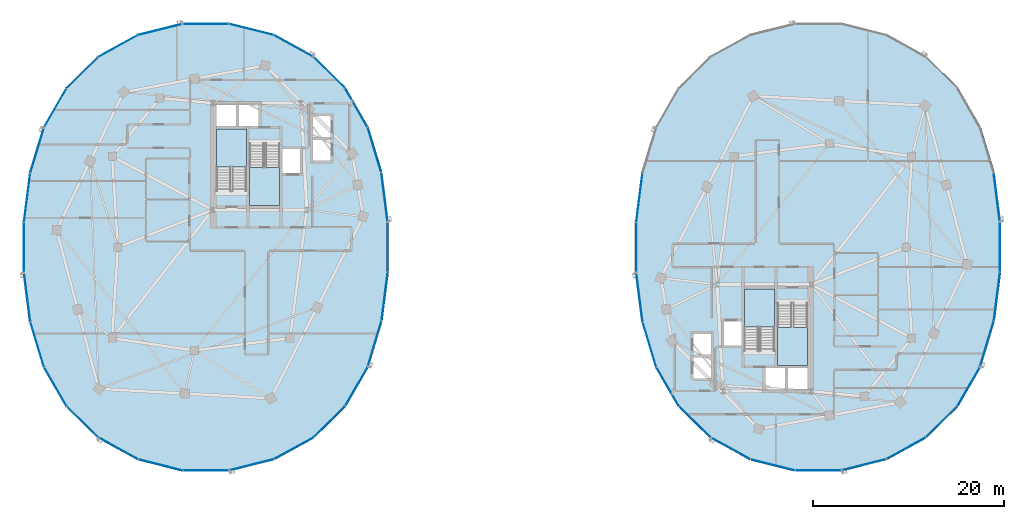
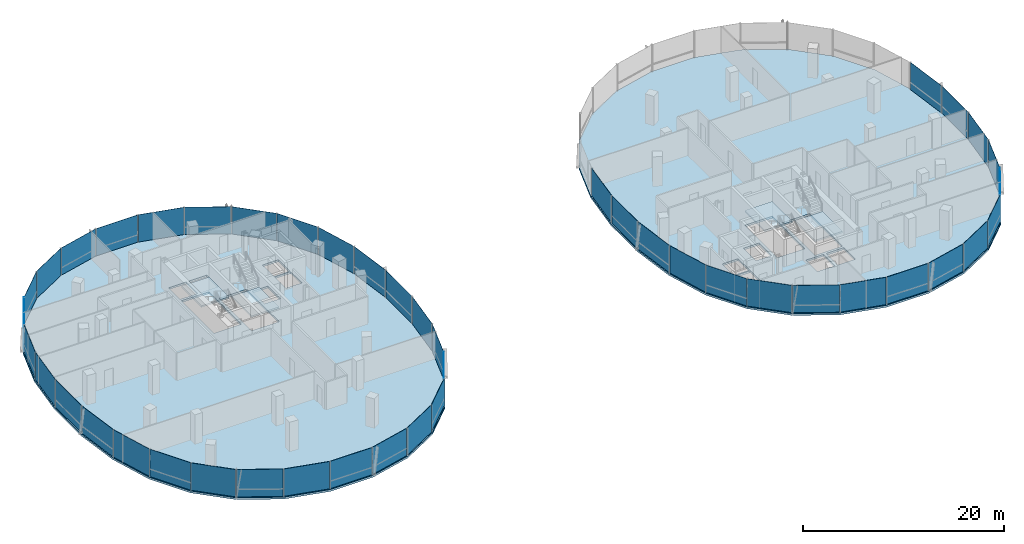
# One storey, part 10 of 22: 45 plates, 6 slabs, 12 elements without a shape of their own.
"""IFC4 building model written with IfcOpenShell, lengths in metres."""

from ifc_helpers import new_model, si_unit, direction, frame, origin, origin_2d, place, context, subcontext, project, spatial, polyline, rectangle, outline, extrude, material, layer, layer_set, type_object, element, aggregate, save


model = new_model("IFC4")

# Units and contexts
model_context = context("Model", 3, precision=1e-05, world=origin(), true_north=direction((0.0, 1.0)))
body_context = subcontext(model_context, "Body", "Model", "MODEL_VIEW")
ifc_project = project(units=[si_unit("LENGTHUNIT", "METRE"), si_unit("AREAUNIT", "SQUARE_METRE"), si_unit("VOLUMEUNIT", "CUBIC_METRE"), si_unit("PLANEANGLEUNIT", "RADIAN"), si_unit("MASSUNIT", "GRAM", prefix="KILO"), si_unit("THERMODYNAMICTEMPERATUREUNIT", "KELVIN"), si_unit("POWERUNIT", "WATT")], contexts=[model_context])

# Site, building, storey
site_placement = place(None, origin())
site = spatial("IfcSite", under=ifc_project, at=site_placement, CompositionType="ELEMENT")
building_placement = place(site_placement, origin())
building = spatial("IfcBuilding", under=site, at=building_placement, Name="Cundina Bronze Exchange", CompositionType="ELEMENT")
storey_placement = place(building_placement, frame((0.0, 0.0, 151.199951171875)))
storey = spatial("IfcBuildingStorey", under=building, at=storey_placement, Name="L39", CompositionType="ELEMENT", Elevation=151.199951171875)

# Curtain wall, plates
ifc_material_1 = material(Name="Anodised Bronze Aluminium 6063-T6", Category="aluminium")
curtain_wall_type = type_object("IfcCurtainWallType", Name="CWS-WST-PIN", PredefinedType="NOTDEFINED", material=ifc_material_1)
curtain_wall_1_placement = place(storey_placement, origin())
curtain_wall_1 = element("IfcCurtainWall", 1, at=curtain_wall_1_placement, inside=storey, type_object=curtain_wall_type, Name="L39 CW-04 Curtain Wall Run CWR-L39-W1", PredefinedType="NOTDEFINED")
ifc_material_2 = material(Name="Heat-Strengthened Solar-Control Bronze Safety Glass 28mm", Category="glass")
ifc_layer_1 = layer(ifc_material_2, 0.028076171875, Name="Heat-Strengthened Solar-Control Bronze Safety Glass 28mm", Category="glass")
ifc_layer_set_1 = layer_set([ifc_layer_1], Name="Heat-Strengthened Solar-Control Bronze Safety Glass 28mm")
plate_type_1 = type_object("IfcPlateType", Name="PLT-GLZ-VIS28", PredefinedType="CURTAIN_PANEL", material=ifc_layer_set_1)
plate_1_placement = place(storey_placement, frame((-14.36669921875, 10.14208984375, 0.02001953125), z_axis=(0.0, 0.0, 1.0), x_axis=(-0.290050843957, 0.957011237092, 0.0)))
plate_1 = element("IfcPlate", 2, at=plate_1_placement, type_object=plate_type_1, Name="CW-04 Glazed Panel 2", PredefinedType="CURTAIN_PANEL", context=body_context, shape_type="SweptSolid", body=[
    extrude(rectangle(XDim=4.885009765625, YDim=0.028076171875, at=origin_2d()), origin(), (0.0, 0.0, 1.0), 3.320068359375),
])
plate_2_placement = place(storey_placement, frame((-16.265625, 14.564697265625, 0.02001953125), z_axis=(0.0, 0.0, 1.0), x_axis=(-0.498487739754, 0.866896748936, 0.0)))
plate_2 = element("IfcPlate", 3, at=plate_2_placement, type_object=plate_type_1, Name="CW-04 Glazed Panel 3", PredefinedType="CURTAIN_PANEL", context=body_context, shape_type="SweptSolid", body=[
    extrude(rectangle(XDim=4.676513671875, YDim=0.028076171875, at=origin_2d()), origin(), (0.0, 0.0, 1.0), 3.320068359375),
])
plate_3_placement = place(storey_placement, frame((-19.105224609375, 18.253662109375, 0.02001953125), z_axis=(0.0, 0.0, 1.0), x_axis=(-0.711989280367, 0.702190333629, 0.0)))
plate_3 = element("IfcPlate", 4, at=plate_3_placement, type_object=plate_type_1, Name="CW-04 Glazed Panel 4", PredefinedType="CURTAIN_PANEL", context=body_context, shape_type="SweptSolid", body=[
    extrude(rectangle(XDim=4.6025390625, YDim=0.028076171875, at=origin_2d()), origin(), (0.0, 0.0, 1.0), 3.320068359375),
])
plate_4_placement = place(storey_placement, frame((-22.83154296875, 21.02880859375, 0.02001953125), z_axis=(0.0, 0.0, 1.0), x_axis=(-0.875869093438, 0.482548786301, 0.0)))
plate_4 = element("IfcPlate", 5, at=plate_4_placement, type_object=plate_type_1, Name="CW-04 Glazed Panel 5", PredefinedType="CURTAIN_PANEL", context=body_context, shape_type="SweptSolid", body=[
    extrude(rectangle(XDim=4.661865234375, YDim=0.028076171875, at=origin_2d()), origin(), (0.0, 0.0, 1.0), 3.320068359375),
])
plate_5_placement = place(storey_placement, frame((-32.0, 23.3369140625, 0.02001953125), z_axis=(0.0, 0.0, 1.0), x_axis=(-1.0, 0.0, 0.0)))
plate_5 = element("IfcPlate", 6, at=plate_5_placement, type_object=plate_type_1, Name="CW-04 Glazed Panel 7", PredefinedType="CURTAIN_PANEL", context=body_context, shape_type="SweptSolid", body=[
    extrude(rectangle(XDim=4.7958984375, YDim=0.028076171875, at=origin_2d()), origin(), (0.0, 0.0, 1.0), 3.320068359375),
])

curtain_wall_2_placement = place(storey_placement, origin())
curtain_wall_2 = element("IfcCurtainWall", 7, at=curtain_wall_2_placement, inside=storey, type_object=curtain_wall_type, Name="L39 CW-04 Curtain Wall Run CWR-L39-W2", PredefinedType="NOTDEFINED")
plate_6_placement = place(storey_placement, frame((-36.76513671875, 22.75244140625, 0.02001953125), z_axis=(0.0, 0.0, 1.0), x_axis=(-0.970092713791, -0.242734683656, 0.0)))
plate_6 = element("IfcPlate", 8, at=plate_6_placement, type_object=plate_type_1, Name="CW-04 Glazed Panel 1", PredefinedType="CURTAIN_PANEL", context=body_context, shape_type="SweptSolid", body=[
    extrude(rectangle(XDim=4.7548828125, YDim=0.028076171875, at=origin_2d()), origin(), (0.0, 0.0, 1.0), 3.320068359375),
])
plate_7_placement = place(storey_placement, frame((-41.16845703125, 21.02880859375, 0.02001953125), z_axis=(0.0, 0.0, 1.0), x_axis=(-0.875869093438, -0.482548786301, 0.0)))
plate_7 = element("IfcPlate", 9, at=plate_7_placement, type_object=plate_type_1, Name="CW-04 Glazed Panel 2", PredefinedType="CURTAIN_PANEL", context=body_context, shape_type="SweptSolid", body=[
    extrude(rectangle(XDim=4.661865234375, YDim=0.028076171875, at=origin_2d()), origin(), (0.0, 0.0, 1.0), 3.320068359375),
])
plate_8_placement = place(storey_placement, frame((-44.894775390625, 18.253662109375, 0.02001953125), z_axis=(0.0, 0.0, 1.0), x_axis=(-0.711989280367, -0.702190333629, 0.0)))
plate_8 = element("IfcPlate", 10, at=plate_8_placement, type_object=plate_type_1, Name="CW-04 Glazed Panel 3", PredefinedType="CURTAIN_PANEL", context=body_context, shape_type="SweptSolid", body=[
    extrude(rectangle(XDim=4.6025390625, YDim=0.028076171875, at=origin_2d()), origin(), (0.0, 0.0, 1.0), 3.320068359375),
])
plate_9_placement = place(storey_placement, frame((-47.734375, 14.564697265625, 0.02001953125), z_axis=(0.0, 0.0, 1.0), x_axis=(-0.498487739754, -0.866896748936, 0.0)))
plate_9 = element("IfcPlate", 11, at=plate_9_placement, type_object=plate_type_1, Name="CW-04 Glazed Panel 4", PredefinedType="CURTAIN_PANEL", context=body_context, shape_type="SweptSolid", body=[
    extrude(rectangle(XDim=4.676513671875, YDim=0.028076171875, at=origin_2d()), origin(), (0.0, 0.0, 1.0), 3.320068359375),
])
plate_10_placement = place(storey_placement, frame((-50.679443359375, 5.2041015625, 0.02001953125), z_axis=(0.0, 0.0, 1.0), x_axis=(-0.126475984253, -0.9919696696, 0.0)))
plate_10 = element("IfcPlate", 12, at=plate_10_placement, type_object=plate_type_1, Name="CW-04 Glazed Panel 6", PredefinedType="CURTAIN_PANEL", context=body_context, shape_type="SweptSolid", body=[
    extrude(rectangle(XDim=5.104736328125, YDim=0.028076171875, at=origin_2d()), origin(), (0.0, 0.0, 1.0), 3.320068359375),
])
plate_11_placement = place(storey_placement, frame((-51.007080078125, 0.0, 0.02001953125), z_axis=(0.0, 0.0, 1.0), x_axis=(0.0, -1.0, 0.0)))
plate_11 = element("IfcPlate", 13, at=plate_11_placement, type_object=plate_type_1, Name="CW-04 Glazed Panel 7", PredefinedType="CURTAIN_PANEL", context=body_context, shape_type="SweptSolid", body=[
    extrude(rectangle(XDim=5.194091796875, YDim=0.028076171875, at=origin_2d()), origin(), (0.0, 0.0, 1.0), 3.320068359375),
])

curtain_wall_3_placement = place(storey_placement, origin())
curtain_wall_3 = element("IfcCurtainWall", 14, at=curtain_wall_3_placement, inside=storey, type_object=curtain_wall_type, Name="L39 CW-04 Curtain Wall Run CWR-L39-W3", PredefinedType="NOTDEFINED")
plate_12_placement = place(storey_placement, frame((-50.679443359375, -5.2041015625, 0.02001953125), z_axis=(0.0, 0.0, 1.0), x_axis=(0.126475984253, -0.9919696696, 0.0)))
plate_12 = element("IfcPlate", 15, at=plate_12_placement, type_object=plate_type_1, Name="CW-04 Glazed Panel 1", PredefinedType="CURTAIN_PANEL", context=body_context, shape_type="SweptSolid", body=[
    extrude(rectangle(XDim=5.104736328125, YDim=0.028076171875, at=origin_2d()), origin(), (0.0, 0.0, 1.0), 3.320068359375),
])
plate_13_placement = place(storey_placement, frame((-49.63330078125, -10.14208984375, 0.02001953125), z_axis=(0.0, 0.0, 1.0), x_axis=(0.290050843957, -0.957011237092, 0.0)))
plate_13 = element("IfcPlate", 16, at=plate_13_placement, type_object=plate_type_1, Name="CW-04 Glazed Panel 2", PredefinedType="CURTAIN_PANEL", context=body_context, shape_type="SweptSolid", body=[
    extrude(rectangle(XDim=4.885009765625, YDim=0.028076171875, at=origin_2d()), origin(), (0.0, 0.0, 1.0), 3.320068359375),
])
plate_14_placement = place(storey_placement, frame((-47.734375, -14.564697265625, 0.02001953125), z_axis=(0.0, 0.0, 1.0), x_axis=(0.498487739754, -0.866896748936, 0.0)))
plate_14 = element("IfcPlate", 17, at=plate_14_placement, type_object=plate_type_1, Name="CW-04 Glazed Panel 3", PredefinedType="CURTAIN_PANEL", context=body_context, shape_type="SweptSolid", body=[
    extrude(rectangle(XDim=4.676513671875, YDim=0.028076171875, at=origin_2d()), origin(), (0.0, 0.0, 1.0), 3.320068359375),
])
plate_15_placement = place(storey_placement, frame((-41.16845703125, -21.02880859375, 0.02001953125), z_axis=(0.0, 0.0, 1.0), x_axis=(0.875869093438, -0.482548786301, 0.0)))
plate_15 = element("IfcPlate", 18, at=plate_15_placement, type_object=plate_type_1, Name="CW-04 Glazed Panel 5", PredefinedType="CURTAIN_PANEL", context=body_context, shape_type="SweptSolid", body=[
    extrude(rectangle(XDim=4.661865234375, YDim=0.028076171875, at=origin_2d()), origin(), (0.0, 0.0, 1.0), 3.320068359375),
])
plate_16_placement = place(storey_placement, frame((-36.76513671875, -22.75244140625, 0.02001953125), z_axis=(0.0, 0.0, 1.0), x_axis=(0.970092713791, -0.242734683656, 0.0)))
plate_16 = element("IfcPlate", 19, at=plate_16_placement, type_object=plate_type_1, Name="CW-04 Glazed Panel 6", PredefinedType="CURTAIN_PANEL", context=body_context, shape_type="SweptSolid", body=[
    extrude(rectangle(XDim=4.7548828125, YDim=0.028076171875, at=origin_2d()), origin(), (0.0, 0.0, 1.0), 3.320068359375),
])
plate_17_placement = place(storey_placement, frame((-32.0, -23.3369140625, 0.02001953125), z_axis=(0.0, 0.0, 1.0), x_axis=(1.0, 0.0, 0.0)))
plate_17 = element("IfcPlate", 20, at=plate_17_placement, type_object=plate_type_1, Name="CW-04 Glazed Panel 7", PredefinedType="CURTAIN_PANEL", context=body_context, shape_type="SweptSolid", body=[
    extrude(rectangle(XDim=4.7958984375, YDim=0.028076171875, at=origin_2d()), origin(), (0.0, 0.0, 1.0), 3.320068359375),
])

curtain_wall_4_placement = place(storey_placement, origin())
curtain_wall_4 = element("IfcCurtainWall", 21, at=curtain_wall_4_placement, inside=storey, type_object=curtain_wall_type, Name="L39 CW-04 Curtain Wall Run CWR-L39-W4", PredefinedType="NOTDEFINED")
plate_18_placement = place(storey_placement, frame((-27.23486328125, -22.75244140625, 0.02001953125), z_axis=(0.0, 0.0, 1.0), x_axis=(0.970092713791, 0.242734683656, 0.0)))
plate_18 = element("IfcPlate", 22, at=plate_18_placement, type_object=plate_type_1, Name="CW-04 Glazed Panel 1", PredefinedType="CURTAIN_PANEL", context=body_context, shape_type="SweptSolid", body=[
    extrude(rectangle(XDim=4.7548828125, YDim=0.028076171875, at=origin_2d()), origin(), (0.0, 0.0, 1.0), 3.320068359375),
])
plate_19_placement = place(storey_placement, frame((-22.83154296875, -21.02880859375, 0.02001953125), z_axis=(0.0, 0.0, 1.0), x_axis=(0.875869093438, 0.482548786301, 0.0)))
plate_19 = element("IfcPlate", 23, at=plate_19_placement, type_object=plate_type_1, Name="CW-04 Glazed Panel 2", PredefinedType="CURTAIN_PANEL", context=body_context, shape_type="SweptSolid", body=[
    extrude(rectangle(XDim=4.661865234375, YDim=0.028076171875, at=origin_2d()), origin(), (0.0, 0.0, 1.0), 3.320068359375),
])
plate_20_placement = place(storey_placement, frame((-16.265625, -14.564697265625, 0.02001953125), z_axis=(0.0, 0.0, 1.0), x_axis=(0.498487739754, 0.866896748936, 0.0)))
plate_20 = element("IfcPlate", 24, at=plate_20_placement, type_object=plate_type_1, Name="CW-04 Glazed Panel 4", PredefinedType="CURTAIN_PANEL", context=body_context, shape_type="SweptSolid", body=[
    extrude(rectangle(XDim=4.676513671875, YDim=0.028076171875, at=origin_2d()), origin(), (0.0, 0.0, 1.0), 3.320068359375),
])
plate_21_placement = place(storey_placement, frame((-14.36669921875, -10.14208984375, 0.02001953125), z_axis=(0.0, 0.0, 1.0), x_axis=(0.290050843957, 0.957011237092, 0.0)))
plate_21 = element("IfcPlate", 25, at=plate_21_placement, type_object=plate_type_1, Name="CW-04 Glazed Panel 5", PredefinedType="CURTAIN_PANEL", context=body_context, shape_type="SweptSolid", body=[
    extrude(rectangle(XDim=4.885009765625, YDim=0.028076171875, at=origin_2d()), origin(), (0.0, 0.0, 1.0), 3.320068359375),
])
plate_22_placement = place(storey_placement, frame((-13.320556640625, -5.2041015625, 0.02001953125), z_axis=(0.0, 0.0, 1.0), x_axis=(0.126475984253, 0.9919696696, 0.0)))
plate_22 = element("IfcPlate", 26, at=plate_22_placement, type_object=plate_type_1, Name="CW-04 Glazed Panel 6", PredefinedType="CURTAIN_PANEL", context=body_context, shape_type="SweptSolid", body=[
    extrude(rectangle(XDim=5.104736328125, YDim=0.028076171875, at=origin_2d()), origin(), (0.0, 0.0, 1.0), 3.320068359375),
])
plate_23_placement = place(storey_placement, frame((-12.992919921875, 0.0, 0.02001953125), z_axis=(0.0, 0.0, 1.0), x_axis=(0.0, 1.0, 0.0)))
plate_23 = element("IfcPlate", 27, at=plate_23_placement, type_object=plate_type_1, Name="CW-04 Glazed Panel 7", PredefinedType="CURTAIN_PANEL", context=body_context, shape_type="SweptSolid", body=[
    extrude(rectangle(XDim=5.194091796875, YDim=0.028076171875, at=origin_2d()), origin(), (0.0, 0.0, 1.0), 3.320068359375),
])

curtain_wall_5_placement = place(storey_placement, origin())
curtain_wall_5 = element("IfcCurtainWall", 28, at=curtain_wall_5_placement, inside=storey, type_object=curtain_wall_type, Name="L39 CW-04 Curtain Wall Run CWR-L39-E2", PredefinedType="NOTDEFINED")
plate_24_placement = place(storey_placement, frame((13.320556640625, 5.2041015625, 0.02001953125), z_axis=(0.0, 0.0, 1.0), x_axis=(-0.126475984253, -0.9919696696, 0.0)))
plate_24 = element("IfcPlate", 29, at=plate_24_placement, type_object=plate_type_1, Name="CW-04 Glazed Panel 6", PredefinedType="CURTAIN_PANEL", context=body_context, shape_type="SweptSolid", body=[
    extrude(rectangle(XDim=5.104736328125, YDim=0.028076171875, at=origin_2d()), origin(), (0.0, 0.0, 1.0), 3.320068359375),
])
plate_25_placement = place(storey_placement, frame((12.992919921875, 0.0, 0.02001953125), z_axis=(0.0, 0.0, 1.0), x_axis=(0.0, -1.0, 0.0)))
plate_25 = element("IfcPlate", 30, at=plate_25_placement, type_object=plate_type_1, Name="CW-04 Glazed Panel 7", PredefinedType="CURTAIN_PANEL", context=body_context, shape_type="SweptSolid", body=[
    extrude(rectangle(XDim=5.194091796875, YDim=0.028076171875, at=origin_2d()), origin(), (0.0, 0.0, 1.0), 3.320068359375),
])
aggregate(curtain_wall_5, [plate_24, plate_25])

curtain_wall_6_placement = place(storey_placement, origin())
curtain_wall_6 = element("IfcCurtainWall", 31, at=curtain_wall_6_placement, inside=storey, type_object=curtain_wall_type, Name="L39 CW-04 Curtain Wall Run CWR-L39-E3", PredefinedType="NOTDEFINED")
plate_26_placement = place(storey_placement, frame((13.320556640625, -5.2041015625, 0.02001953125), z_axis=(0.0, 0.0, 1.0), x_axis=(0.126475984253, -0.9919696696, 0.0)))
plate_26 = element("IfcPlate", 32, at=plate_26_placement, type_object=plate_type_1, Name="CW-04 Glazed Panel 1", PredefinedType="CURTAIN_PANEL", context=body_context, shape_type="SweptSolid", body=[
    extrude(rectangle(XDim=5.104736328125, YDim=0.028076171875, at=origin_2d()), origin(), (0.0, 0.0, 1.0), 3.320068359375),
])
plate_27_placement = place(storey_placement, frame((14.36669921875, -10.14208984375, 0.02001953125), z_axis=(0.0, 0.0, 1.0), x_axis=(0.290050843957, -0.957011237092, 0.0)))
plate_27 = element("IfcPlate", 33, at=plate_27_placement, type_object=plate_type_1, Name="CW-04 Glazed Panel 2", PredefinedType="CURTAIN_PANEL", context=body_context, shape_type="SweptSolid", body=[
    extrude(rectangle(XDim=4.885009765625, YDim=0.028076171875, at=origin_2d()), origin(), (0.0, 0.0, 1.0), 3.320068359375),
])
plate_28_placement = place(storey_placement, frame((16.265625, -14.564697265625, 0.02001953125), z_axis=(0.0, 0.0, 1.0), x_axis=(0.498487739754, -0.866896748936, 0.0)))
plate_28 = element("IfcPlate", 34, at=plate_28_placement, type_object=plate_type_1, Name="CW-04 Glazed Panel 3", PredefinedType="CURTAIN_PANEL", context=body_context, shape_type="SweptSolid", body=[
    extrude(rectangle(XDim=4.676513671875, YDim=0.028076171875, at=origin_2d()), origin(), (0.0, 0.0, 1.0), 3.320068359375),
])
plate_29_placement = place(storey_placement, frame((22.83154296875, -21.02880859375, 0.02001953125), z_axis=(0.0, 0.0, 1.0), x_axis=(0.875869093438, -0.482548786301, 0.0)))
plate_29 = element("IfcPlate", 35, at=plate_29_placement, type_object=plate_type_1, Name="CW-04 Glazed Panel 5", PredefinedType="CURTAIN_PANEL", context=body_context, shape_type="SweptSolid", body=[
    extrude(rectangle(XDim=4.661865234375, YDim=0.028076171875, at=origin_2d()), origin(), (0.0, 0.0, 1.0), 3.320068359375),
])
plate_30_placement = place(storey_placement, frame((27.23486328125, -22.75244140625, 0.02001953125), z_axis=(0.0, 0.0, 1.0), x_axis=(0.970092713791, -0.242734683656, 0.0)))
plate_30 = element("IfcPlate", 36, at=plate_30_placement, type_object=plate_type_1, Name="CW-04 Glazed Panel 6", PredefinedType="CURTAIN_PANEL", context=body_context, shape_type="SweptSolid", body=[
    extrude(rectangle(XDim=4.7548828125, YDim=0.028076171875, at=origin_2d()), origin(), (0.0, 0.0, 1.0), 3.320068359375),
])
plate_31_placement = place(storey_placement, frame((32.0, -23.3369140625, 0.02001953125), z_axis=(0.0, 0.0, 1.0), x_axis=(1.0, 0.0, 0.0)))
plate_31 = element("IfcPlate", 37, at=plate_31_placement, type_object=plate_type_1, Name="CW-04 Glazed Panel 7", PredefinedType="CURTAIN_PANEL", context=body_context, shape_type="SweptSolid", body=[
    extrude(rectangle(XDim=4.7958984375, YDim=0.028076171875, at=origin_2d()), origin(), (0.0, 0.0, 1.0), 3.320068359375),
])

curtain_wall_7_placement = place(storey_placement, origin())
curtain_wall_7 = element("IfcCurtainWall", 38, at=curtain_wall_7_placement, inside=storey, type_object=curtain_wall_type, Name="L39 CW-04 Curtain Wall Run CWR-L39-E4", PredefinedType="NOTDEFINED")
plate_32_placement = place(storey_placement, frame((36.76513671875, -22.75244140625, 0.02001953125), z_axis=(0.0, 0.0, 1.0), x_axis=(0.970092713791, 0.242734683656, 0.0)))
plate_32 = element("IfcPlate", 39, at=plate_32_placement, type_object=plate_type_1, Name="CW-04 Glazed Panel 1", PredefinedType="CURTAIN_PANEL", context=body_context, shape_type="SweptSolid", body=[
    extrude(rectangle(XDim=4.7548828125, YDim=0.028076171875, at=origin_2d()), origin(), (0.0, 0.0, 1.0), 3.320068359375),
])
plate_33_placement = place(storey_placement, frame((41.16845703125, -21.02880859375, 0.02001953125), z_axis=(0.0, 0.0, 1.0), x_axis=(0.875869093438, 0.482548786301, 0.0)))
plate_33 = element("IfcPlate", 40, at=plate_33_placement, type_object=plate_type_1, Name="CW-04 Glazed Panel 2", PredefinedType="CURTAIN_PANEL", context=body_context, shape_type="SweptSolid", body=[
    extrude(rectangle(XDim=4.661865234375, YDim=0.028076171875, at=origin_2d()), origin(), (0.0, 0.0, 1.0), 3.320068359375),
])
plate_34_placement = place(storey_placement, frame((47.734375, -14.564697265625, 0.02001953125), z_axis=(0.0, 0.0, 1.0), x_axis=(0.498487739754, 0.866896748936, 0.0)))
plate_34 = element("IfcPlate", 41, at=plate_34_placement, type_object=plate_type_1, Name="CW-04 Glazed Panel 4", PredefinedType="CURTAIN_PANEL", context=body_context, shape_type="SweptSolid", body=[
    extrude(rectangle(XDim=4.676513671875, YDim=0.028076171875, at=origin_2d()), origin(), (0.0, 0.0, 1.0), 3.320068359375),
])
plate_35_placement = place(storey_placement, frame((49.63330078125, -10.14208984375, 0.02001953125), z_axis=(0.0, 0.0, 1.0), x_axis=(0.290050843957, 0.957011237092, 0.0)))
plate_35 = element("IfcPlate", 42, at=plate_35_placement, type_object=plate_type_1, Name="CW-04 Glazed Panel 5", PredefinedType="CURTAIN_PANEL", context=body_context, shape_type="SweptSolid", body=[
    extrude(rectangle(XDim=4.885009765625, YDim=0.028076171875, at=origin_2d()), origin(), (0.0, 0.0, 1.0), 3.320068359375),
])
plate_36_placement = place(storey_placement, frame((50.679443359375, -5.2041015625, 0.02001953125), z_axis=(0.0, 0.0, 1.0), x_axis=(0.126475984253, 0.9919696696, 0.0)))
plate_36 = element("IfcPlate", 43, at=plate_36_placement, type_object=plate_type_1, Name="CW-04 Glazed Panel 6", PredefinedType="CURTAIN_PANEL", context=body_context, shape_type="SweptSolid", body=[
    extrude(rectangle(XDim=5.104736328125, YDim=0.028076171875, at=origin_2d()), origin(), (0.0, 0.0, 1.0), 3.320068359375),
])
plate_37_placement = place(storey_placement, frame((51.007080078125, 0.0, 0.02001953125), z_axis=(0.0, 0.0, 1.0), x_axis=(0.0, 1.0, 0.0)))
plate_37 = element("IfcPlate", 44, at=plate_37_placement, type_object=plate_type_1, Name="CW-04 Glazed Panel 7", PredefinedType="CURTAIN_PANEL", context=body_context, shape_type="SweptSolid", body=[
    extrude(rectangle(XDim=5.194091796875, YDim=0.028076171875, at=origin_2d()), origin(), (0.0, 0.0, 1.0), 3.320068359375),
])

# Plate
ifc_material_3 = material(Name="Dark Bronze Spandrel Glass Panel 32mm", Category="glass")
ifc_layer_2 = layer(ifc_material_3, 0.031982421875, Name="Dark Bronze Spandrel Glass Panel 32mm", Category="glass")
ifc_layer_set_2 = layer_set([ifc_layer_2], Name="Dark Bronze Spandrel Glass Panel 32mm")
plate_type_2 = type_object("IfcPlateType", Name="PLT-SPN-BRZ32", PredefinedType="CURTAIN_PANEL", material=ifc_layer_set_2)
plate_38_placement = place(storey_placement, frame((-13.320556640625, 5.2041015625, 0.02001953125), z_axis=(0.0, 0.0, 1.0), x_axis=(-0.126475984253, 0.9919696696, 0.0)))
plate_38 = element("IfcPlate", 45, at=plate_38_placement, type_object=plate_type_2, Name="CW-04 Glazed Panel 1", PredefinedType="CURTAIN_PANEL", context=body_context, shape_type="SweptSolid", body=[
    extrude(rectangle(XDim=5.104736328125, YDim=0.031982421875, at=origin_2d()), origin(), (0.0, 0.0, 1.0), 3.320068359375),
])

plate_39_placement = place(storey_placement, frame((-27.23486328125, 22.75244140625, 0.02001953125), z_axis=(0.0, 0.0, 1.0), x_axis=(-0.970092713791, 0.242734683656, 0.0)))
plate_39 = element("IfcPlate", 46, at=plate_39_placement, type_object=plate_type_2, Name="CW-04 Glazed Panel 6", PredefinedType="CURTAIN_PANEL", context=body_context, shape_type="SweptSolid", body=[
    extrude(rectangle(XDim=4.7548828125, YDim=0.031982421875, at=origin_2d()), origin(), (0.0, 0.0, 1.0), 3.320068359375),
])

aggregate(curtain_wall_1, [plate_38, plate_1, plate_2, plate_3, plate_4, plate_39, plate_5])

plate_40_placement = place(storey_placement, frame((-49.63330078125, 10.14208984375, 0.02001953125), z_axis=(0.0, 0.0, 1.0), x_axis=(-0.290050843957, -0.957011237092, 0.0)))
plate_40 = element("IfcPlate", 47, at=plate_40_placement, type_object=plate_type_2, Name="CW-04 Glazed Panel 5", PredefinedType="CURTAIN_PANEL", context=body_context, shape_type="SweptSolid", body=[
    extrude(rectangle(XDim=4.885009765625, YDim=0.031982421875, at=origin_2d()), origin(), (0.0, 0.0, 1.0), 3.320068359375),
])

aggregate(curtain_wall_2, [plate_6, plate_7, plate_8, plate_9, plate_40, plate_10, plate_11])

plate_41_placement = place(storey_placement, frame((-44.894775390625, -18.253662109375, 0.02001953125), z_axis=(0.0, 0.0, 1.0), x_axis=(0.711989280367, -0.702190333629, 0.0)))
plate_41 = element("IfcPlate", 48, at=plate_41_placement, type_object=plate_type_2, Name="CW-04 Glazed Panel 4", PredefinedType="CURTAIN_PANEL", context=body_context, shape_type="SweptSolid", body=[
    extrude(rectangle(XDim=4.6025390625, YDim=0.031982421875, at=origin_2d()), origin(), (0.0, 0.0, 1.0), 3.320068359375),
])

aggregate(curtain_wall_3, [plate_12, plate_13, plate_14, plate_41, plate_15, plate_16, plate_17])

plate_42_placement = place(storey_placement, frame((-19.105224609375, -18.253662109375, 0.02001953125), z_axis=(0.0, 0.0, 1.0), x_axis=(0.711989280367, 0.702190333629, 0.0)))
plate_42 = element("IfcPlate", 49, at=plate_42_placement, type_object=plate_type_2, Name="CW-04 Glazed Panel 3", PredefinedType="CURTAIN_PANEL", context=body_context, shape_type="SweptSolid", body=[
    extrude(rectangle(XDim=4.6025390625, YDim=0.031982421875, at=origin_2d()), origin(), (0.0, 0.0, 1.0), 3.320068359375),
])

aggregate(curtain_wall_4, [plate_18, plate_19, plate_42, plate_20, plate_21, plate_22, plate_23])

# Curtain wall, plate
curtain_wall_8_placement = place(storey_placement, origin())
curtain_wall_8 = element("IfcCurtainWall", 50, at=curtain_wall_8_placement, inside=storey, type_object=curtain_wall_type, Name="L39 CW-04 Curtain Wall Run CWR-L39-E1", PredefinedType="NOTDEFINED")
plate_43_placement = place(storey_placement, frame((50.679443359375, 5.2041015625, 0.02001953125), z_axis=(0.0, 0.0, 1.0), x_axis=(-0.126475984253, 0.9919696696, 0.0)))
plate_43 = element("IfcPlate", 51, at=plate_43_placement, type_object=plate_type_2, Name="CW-04 Glazed Panel 1", PredefinedType="CURTAIN_PANEL", context=body_context, shape_type="SweptSolid", body=[
    extrude(rectangle(XDim=5.104736328125, YDim=0.031982421875, at=origin_2d()), origin(), (0.0, 0.0, 1.0), 3.320068359375),
])
aggregate(curtain_wall_8, [plate_43])

# Plate
plate_44_placement = place(storey_placement, frame((19.105224609375, -18.253662109375, 0.02001953125), z_axis=(0.0, 0.0, 1.0), x_axis=(0.711989280367, -0.702190333629, 0.0)))
plate_44 = element("IfcPlate", 52, at=plate_44_placement, type_object=plate_type_2, Name="CW-04 Glazed Panel 4", PredefinedType="CURTAIN_PANEL", context=body_context, shape_type="SweptSolid", body=[
    extrude(rectangle(XDim=4.6025390625, YDim=0.031982421875, at=origin_2d()), origin(), (0.0, 0.0, 1.0), 3.320068359375),
])

aggregate(curtain_wall_6, [plate_26, plate_27, plate_28, plate_44, plate_29, plate_30, plate_31])

plate_45_placement = place(storey_placement, frame((44.894775390625, -18.253662109375, 0.02001953125), z_axis=(0.0, 0.0, 1.0), x_axis=(0.711989280367, 0.702190333629, 0.0)))
plate_45 = element("IfcPlate", 53, at=plate_45_placement, type_object=plate_type_2, Name="CW-04 Glazed Panel 3", PredefinedType="CURTAIN_PANEL", context=body_context, shape_type="SweptSolid", body=[
    extrude(rectangle(XDim=4.6025390625, YDim=0.031982421875, at=origin_2d()), origin(), (0.0, 0.0, 1.0), 3.320068359375),
])

aggregate(curtain_wall_7, [plate_32, plate_33, plate_45, plate_34, plate_35, plate_36, plate_37])

# Stair, slab
ifc_material_4 = material(Name="Concrete C40/50", Category="concrete")
stair_type = type_object("IfcStairType", Name="STR-OFF-360", PredefinedType="HALF_TURN_STAIR", material=ifc_material_4)
stair_1_placement = place(storey_placement, origin())
stair_1 = element("IfcStair", 54, at=stair_1_placement, inside=storey, type_object=stair_type, Name="L39 Smokeproof Exit Stair W1", PredefinedType="HALF_TURN_STAIR")
ifc_layer_3 = layer(ifc_material_4, 0.199951171875, Name="Concrete C40/50", Category="concrete")
ifc_layer_set_3 = layer_set([ifc_layer_3], Name="Concrete C40/50")
slab_type_1 = type_object("IfcSlabType", Name="SLB-LND-200", PredefinedType="LANDING", material=ifc_layer_set_3)
slab_1_placement = place(storey_placement, frame((0.0, 0.0, 1.60009765625)))
slab_1 = element("IfcSlab", 55, at=slab_1_placement, type_object=slab_type_1, Name="ST-W1 landing 1", PredefinedType="LANDING", context=body_context, shape_type="SweptSolid", body=[
    extrude(outline(polyline([(-27.739990234375, 8.3701171875), (-27.739990234375, 12.35009765625), (-30.89990234375, 12.35009765625), (-30.89990234375, 8.3701171875), (-27.739990234375, 8.3701171875)])), origin(), (0.0, 0.0, 1.0), 0.199951171875),
])
aggregate(stair_1, [slab_1])

stair_2_placement = place(storey_placement, origin())
stair_2 = element("IfcStair", 56, at=stair_2_placement, inside=storey, type_object=stair_type, Name="L39 Smokeproof Exit Stair W2", PredefinedType="HALF_TURN_STAIR")
slab_2_placement = place(storey_placement, frame((0.0, 0.0, 1.60009765625)))
slab_2 = element("IfcSlab", 57, at=slab_2_placement, type_object=slab_type_1, Name="ST-W2 landing 1", PredefinedType="LANDING", context=body_context, shape_type="SweptSolid", body=[
    extrude(outline(polyline([(-27.43994140625, 8.330078125), (-27.43994140625, 4.35009765625), (-24.280029296875, 4.35009765625), (-24.280029296875, 8.330078125), (-27.43994140625, 8.330078125)])), origin(), (0.0, 0.0, 1.0), 0.199951171875),
])
aggregate(stair_2, [slab_2])

stair_3_placement = place(storey_placement, origin())
stair_3 = element("IfcStair", 58, at=stair_3_placement, inside=storey, type_object=stair_type, Name="L39 Smokeproof Exit Stair E1", PredefinedType="HALF_TURN_STAIR")
slab_3_placement = place(storey_placement, frame((0.0, 0.0, 1.60009765625)))
slab_3 = element("IfcSlab", 59, at=slab_3_placement, type_object=slab_type_1, Name="ST-E1 landing 1", PredefinedType="LANDING", context=body_context, shape_type="SweptSolid", body=[
    extrude(outline(polyline([(27.739990234375, -8.3701171875), (27.739990234375, -12.35009765625), (30.89990234375, -12.35009765625), (30.89990234375, -8.3701171875), (27.739990234375, -8.3701171875)])), origin(), (0.0, 0.0, 1.0), 0.199951171875),
])
aggregate(stair_3, [slab_3])

stair_4_placement = place(storey_placement, origin())
stair_4 = element("IfcStair", 60, at=stair_4_placement, inside=storey, type_object=stair_type, Name="L39 Smokeproof Exit Stair E2", PredefinedType="HALF_TURN_STAIR")
slab_4_placement = place(storey_placement, frame((0.0, 0.0, 1.60009765625)))
slab_4 = element("IfcSlab", 61, at=slab_4_placement, type_object=slab_type_1, Name="ST-E2 landing 1", PredefinedType="LANDING", context=body_context, shape_type="SweptSolid", body=[
    extrude(outline(polyline([(27.43994140625, -8.330078125), (27.43994140625, -4.35009765625), (24.280029296875, -4.35009765625), (24.280029296875, -8.330078125), (27.43994140625, -8.330078125)])), origin(), (0.0, 0.0, 1.0), 0.199951171875),
])
aggregate(stair_4, [slab_4])

# Slabs
ifc_material_5 = material(Name="Concrete C50/60", Category="concrete")
ifc_layer_4 = layer(ifc_material_5, 0.239990234375, Name="Concrete C50/60", Category="concrete")
ifc_layer_set_4 = layer_set([ifc_layer_4], Name="Concrete C50/60")
slab_type_2 = type_object("IfcSlabType", Name="SLB-WST-240", PredefinedType="FLOOR", material=ifc_layer_set_4)
slab_5_placement = place(storey_placement, frame((0.0, 0.0, -0.239990234375)))
element("IfcSlab", 62, at=slab_5_placement, inside=storey, type_object=slab_type_2, Name="L39 Leg W Structural Floor Slab", PredefinedType="FLOOR", context=body_context, shape_type="SweptSolid", body=[
    extrude(outline(polyline([(-12.8779296875, 2.64208984375), (-13.534912109375, 7.794921875), (-14.97802734375, 12.555908203125), (-17.35400390625, 16.68798828125), (-20.695068359375, 19.98291015625), (-24.85693359375, 22.27587890625), (-29.556884765625, 23.451904296875), (-34.443115234375, 23.451904296875), (-39.14306640625, 22.27587890625), (-43.304931640625, 19.98291015625), (-46.64599609375, 16.68798828125), (-49.02197265625, 12.555908203125), (-50.465087890625, 7.794921875), (-51.1220703125, 2.64208984375), (-51.1220703125, -2.64208984375), (-50.465087890625, -7.794921875), (-49.02197265625, -12.555908203125), (-46.64599609375, -16.68798828125), (-43.304931640625, -19.98291015625), (-39.14306640625, -22.27587890625), (-34.443115234375, -23.451904296875), (-29.556884765625, -23.451904296875), (-24.85693359375, -22.27587890625), (-20.695068359375, -19.98291015625), (-17.35400390625, -16.68798828125), (-14.97802734375, -12.555908203125), (-13.534912109375, -7.794921875), (-12.8779296875, -2.64208984375), (-12.8779296875, 2.64208984375)]), holes=[polyline([(-27.739990234375, 5.85009765625), (-27.739990234375, 12.35009765625), (-30.89990234375, 12.35009765625), (-30.89990234375, 5.85009765625), (-27.739990234375, 5.85009765625)]), polyline([(-27.43994140625, 10.85009765625), (-27.43994140625, 4.35009765625), (-24.280029296875, 4.35009765625), (-24.280029296875, 10.85009765625), (-27.43994140625, 10.85009765625)]), polyline([(-23.97998046875, 10.25), (-22.179931640625, 10.25), (-22.179931640625, 7.75), (-23.97998046875, 7.75), (-23.97998046875, 10.25)]), polyline([(-30.89990234375, 14.949951171875), (-28.85009765625, 14.949951171875), (-28.85009765625, 12.64990234375), (-30.89990234375, 12.64990234375), (-30.89990234375, 14.949951171875)]), polyline([(-28.550048828125, 14.949951171875), (-26.5, 14.949951171875), (-26.5, 12.64990234375), (-28.550048828125, 12.64990234375), (-28.550048828125, 14.949951171875)]), polyline([(-20.800048828125, 13.699951171875), (-18.949951171875, 13.699951171875), (-18.949951171875, 11.449951171875), (-20.800048828125, 11.449951171875), (-20.800048828125, 13.699951171875)]), polyline([(-20.800048828125, 11.300048828125), (-18.949951171875, 11.300048828125), (-18.949951171875, 9.050048828125), (-20.800048828125, 9.050048828125), (-20.800048828125, 11.300048828125)])]), origin(), (0.0, 0.0, 1.0), 0.239990234375),
])
slab_6_placement = place(storey_placement, frame((0.0, 0.0, -0.239990234375)))
element("IfcSlab", 63, at=slab_6_placement, inside=storey, type_object=slab_type_2, Name="L39 Leg E Structural Floor Slab", PredefinedType="FLOOR", context=body_context, shape_type="SweptSolid", body=[
    extrude(outline(polyline([(51.1220703125, 2.64208984375), (50.465087890625, 7.794921875), (49.02197265625, 12.555908203125), (46.64599609375, 16.68798828125), (43.304931640625, 19.98291015625), (39.14306640625, 22.27587890625), (34.443115234375, 23.451904296875), (29.556884765625, 23.451904296875), (24.85693359375, 22.27587890625), (20.695068359375, 19.98291015625), (17.35400390625, 16.68798828125), (14.97802734375, 12.555908203125), (13.534912109375, 7.794921875), (12.8779296875, 2.64208984375), (12.8779296875, -2.64208984375), (13.534912109375, -7.794921875), (14.97802734375, -12.555908203125), (17.35400390625, -16.68798828125), (20.695068359375, -19.98291015625), (24.85693359375, -22.27587890625), (29.556884765625, -23.451904296875), (34.443115234375, -23.451904296875), (39.14306640625, -22.27587890625), (43.304931640625, -19.98291015625), (46.64599609375, -16.68798828125), (49.02197265625, -12.555908203125), (50.465087890625, -7.794921875), (51.1220703125, -2.64208984375), (51.1220703125, 2.64208984375)]), holes=[polyline([(27.739990234375, -5.85009765625), (27.739990234375, -12.35009765625), (30.89990234375, -12.35009765625), (30.89990234375, -5.85009765625), (27.739990234375, -5.85009765625)]), polyline([(27.43994140625, -10.85009765625), (27.43994140625, -4.35009765625), (24.280029296875, -4.35009765625), (24.280029296875, -10.85009765625), (27.43994140625, -10.85009765625)]), polyline([(22.179931640625, -7.75), (23.97998046875, -7.75), (23.97998046875, -10.25), (22.179931640625, -10.25), (22.179931640625, -7.75)]), polyline([(28.85009765625, -12.64990234375), (30.89990234375, -12.64990234375), (30.89990234375, -14.949951171875), (28.85009765625, -14.949951171875), (28.85009765625, -12.64990234375)]), polyline([(26.5, -12.64990234375), (28.550048828125, -12.64990234375), (28.550048828125, -14.949951171875), (26.5, -14.949951171875), (26.5, -12.64990234375)]), polyline([(18.949951171875, -11.449951171875), (20.800048828125, -11.449951171875), (20.800048828125, -13.699951171875), (18.949951171875, -13.699951171875), (18.949951171875, -11.449951171875)]), polyline([(18.949951171875, -9.050048828125), (20.800048828125, -9.050048828125), (20.800048828125, -11.300048828125), (18.949951171875, -11.300048828125), (18.949951171875, -9.050048828125)])]), origin(), (0.0, 0.0, 1.0), 0.239990234375),
])

save(model, "model.ifc")
